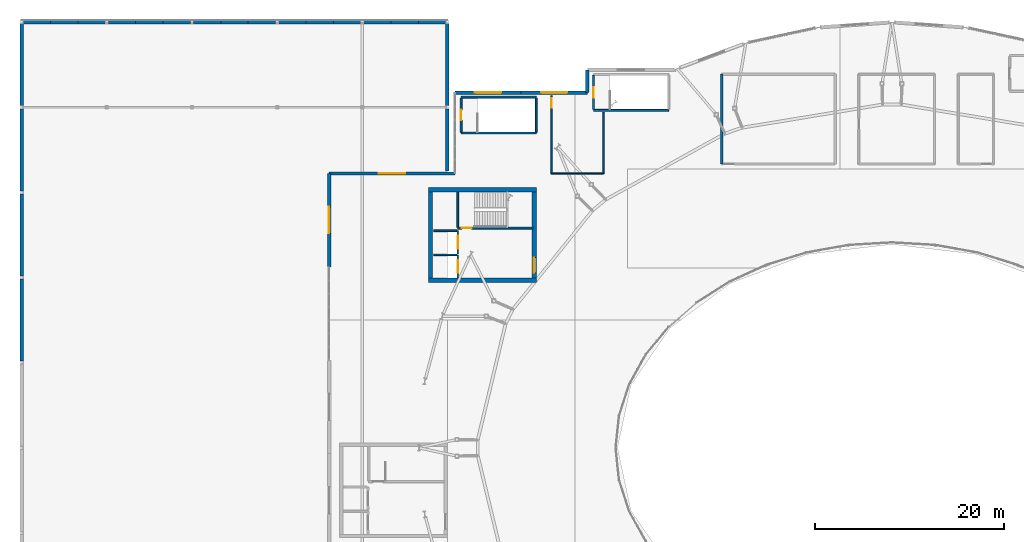
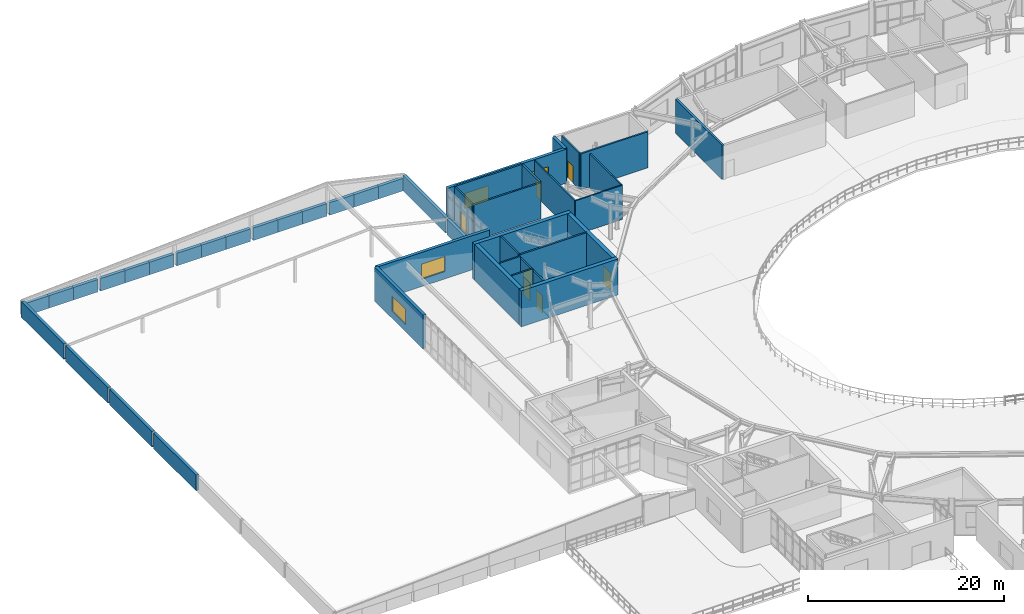
# One storey, part 39 of 48: 46 walls, 7 doors, 4 windows, 11 openings.
"""IFC4 building model written with IfcOpenShell, lengths in metres."""

from ifc_helpers import new_model, si_unit, direction, frame, frame_2d, origin, place, context, subcontext, project, spatial, rectangle, extrude, material, layer, layer_set, type_object, element, fill, save


model = new_model("IFC4")

# Units and contexts
model_context = context("Model", 3, precision=1e-05, world=origin(), true_north=direction((0.0, 1.0)))
body_context = subcontext(model_context, "Body", "Model", "MODEL_VIEW")
ifc_project = project(units=[si_unit("LENGTHUNIT", "METRE"), si_unit("AREAUNIT", "SQUARE_METRE"), si_unit("VOLUMEUNIT", "CUBIC_METRE"), si_unit("PLANEANGLEUNIT", "RADIAN"), si_unit("MASSUNIT", "GRAM", prefix="KILO")], contexts=[model_context])

# Site, building, storey
site_placement = place(None, origin())
site = spatial("IfcSite", under=ifc_project, at=site_placement, CompositionType="ELEMENT")
building_placement = place(site_placement, origin())
building = spatial("IfcBuilding", under=site, at=building_placement, Name="Glasvene Arena", CompositionType="ELEMENT")
storey_placement = place(building_placement, frame((0.0, 0.0, 19.5)))
storey = spatial("IfcBuildingStorey", under=building, at=storey_placement, Name="L04", CompositionType="ELEMENT", Elevation=19.5)

# Walls
ifc_material_1 = material(Name="Concrete C40/50", Category="concrete")
ifc_layer_1 = layer(ifc_material_1, 0.449951171875)
ifc_layer_set_1 = layer_set([ifc_layer_1], Name="Concrete C40/50")
wall_type_1 = type_object("IfcWallType", Name="WL-CORE-450", PredefinedType="SHEAR", material=ifc_layer_set_1)
for number, where, z_axis, x_axis, name in (
    (1, (43.0, 90.72509765625, 0.0), (0.0, 0.0, 1.0), (1.0, 0.0, 0.0), "Core C1 North-West shear wall S L04"),
    (2, (43.0, 100.27490234375, 0.0), (0.0, 0.0, 1.0), (1.0, 0.0, 0.0), "Core C1 North-West shear wall N L04"),
):
    element("IfcWall", number, at=place(storey_placement, frame(where, z_axis=z_axis, x_axis=x_axis)), inside=storey, type_object=wall_type_1, Name=name, PredefinedType="SHEAR", context=body_context, shape_type="SweptSolid", body=[
        extrude(rectangle(XDim=11.39990234375, YDim=0.449951171875, at=frame_2d((5.699951171875, 0.0))), origin(), (0.0, 0.0, 1.0), 4.5),
    ])
wall_1_placement = place(storey_placement, frame((43.22509765625, 90.949951171875, 0.0), z_axis=(0.0, 0.0, 1.0), x_axis=(0.0, 1.0, 0.0)))
element("IfcWall", 3, at=wall_1_placement, inside=storey, type_object=wall_type_1, Name="Core C1 North-West shear wall W L04", PredefinedType="SHEAR", context=body_context, shape_type="SweptSolid", body=[
    extrude(rectangle(XDim=9.10009765625, YDim=0.449951171875, at=frame_2d((4.550048828125, 0.0))), origin(), (0.0, 0.0, 1.0), 4.5),
])

# Wall, opening, door
wall_2_placement = place(storey_placement, frame((54.175048828125, 90.949951171875, 0.0), z_axis=(0.0, 0.0, 1.0), x_axis=(0.0, 1.0, 0.0)))
wall_2 = element("IfcWall", 4, at=wall_2_placement, inside=storey, type_object=wall_type_1, Name="Core C1 North-West shear wall E L04", PredefinedType="SHEAR", context=body_context, shape_type="SweptSolid", body=[
    extrude(rectangle(XDim=9.10009765625, YDim=0.449951171875, at=frame_2d((4.550048828125, 0.0))), origin(), (0.0, 0.0, 1.0), 4.5),
])
opening_1_placement = place(wall_2_placement, frame((0.550048828125, 0.0, 0.0)))
opening_1 = element("IfcOpeningElement", 5, at=opening_1_placement, cuts=wall_2, Name="Opening D-02", PredefinedType="OPENING", context=body_context, shape_type="SweptSolid", body=[
    extrude(rectangle(XDim=1.60009765625, YDim=2.199951171875, at=frame_2d((0.800048828125, 1.10009765625))), frame((0.0, 0.23486328125, 0.0), z_axis=(0.0, -1.0, 0.0), x_axis=(1.0, 0.0, 0.0)), (0.0, 0.0, 1.0), 0.469970703125),
])
ifc_material_2 = material(Name="Painted fire-resisting steel", Category="steel")
door_type_1 = type_object("IfcDoorType", Name="DR-FD60-1600", OperationType="DOUBLE_DOOR_SINGLE_SWING", PredefinedType="DOOR", material=ifc_material_2)
door_1_placement = place(opening_1_placement, frame((1.60009765625, 0.0, 0.0), z_axis=(0.0, 0.0, 1.0), x_axis=(-1.0, 0.0, 0.0)))
door_1 = element("IfcDoor", 6, at=door_1_placement, inside=storey, type_object=door_type_1, Name="Core firefighting lobby concourse door C1-L04", OperationType="DOUBLE_DOOR_SINGLE_SWING", OverallHeight=2.199951171875, OverallWidth=1.60009765625, PredefinedType="DOOR", context=body_context, shape_type="SweptSolid", body=[
    extrude(rectangle(XDim=1.60009765625, YDim=2.199951171875, at=frame_2d((0.800048828125, 1.10009765625))), frame((0.0, 0.02490234375, 0.0), z_axis=(0.0, -1.0, 0.0), x_axis=(1.0, 0.0, 0.0)), (0.0, 0.0, 1.0), 0.050048828125),
])
fill(opening_1, door_1)

# Wall, opening, window
ifc_material_3 = material(Name="Coursed pale Irish limestone", Category="masonry")
ifc_layer_2 = layer(ifc_material_3, 0.360107421875)
ifc_layer_set_2 = layer_set([ifc_layer_2], Name="Coursed pale Irish limestone")
wall_type_2 = type_object("IfcWallType", Name="WL-EXT-LIM-360", PredefinedType="STANDARD", material=ifc_layer_set_2)
wall_3_placement = place(storey_placement, frame((32.5, 92.125, 0.0), z_axis=(0.0, 0.0, 1.0), x_axis=(0.0, 1.0, 0.0)))
wall_3 = element("IfcWall", 7, at=wall_3_placement, inside=storey, type_object=wall_type_2, Name="External facade wall EW-L04-0246", PredefinedType="STANDARD", context=body_context, shape_type="SweptSolid", body=[
    extrude(rectangle(XDim=9.875, YDim=0.360107421875, at=frame_2d((4.9375, 0.0))), origin(), (0.0, 0.0, 1.0), 4.25),
])
opening_2_placement = place(wall_3_placement, frame((3.5380859375, 0.0, 0.89990234375)))
opening_2 = element("IfcOpeningElement", 8, at=opening_2_placement, cuts=wall_3, Name="Opening W-10", PredefinedType="OPENING", context=body_context, shape_type="SweptSolid", body=[
    extrude(rectangle(XDim=2.800048828125, YDim=1.89990234375, at=frame_2d((1.39990234375, 0.949951171875))), frame((0.0, 0.18994140625, 0.0), z_axis=(0.0, -1.0, 0.0), x_axis=(1.0, 0.0, 0.0)), (0.0, 0.0, 1.0), 0.380126953125),
])
ifc_material_4 = material(Name="Low-emissivity laminated double glazing", Category="glass")
window_type = type_object("IfcWindowType", Name="WN-SKY-280x190", PartitioningType="DOUBLE_PANEL_VERTICAL", PredefinedType="WINDOW", material=ifc_material_4)
window_1_placement = place(opening_2_placement, origin())
window_1 = element("IfcWindow", 9, at=window_1_placement, inside=storey, type_object=window_type, Name="Facade window WN-SKY-280x190 L04-0157", OverallHeight=1.89990234375, OverallWidth=2.800048828125, PartitioningType="SINGLE_PANEL", PredefinedType="WINDOW", context=body_context, shape_type="SweptSolid", body=[
    extrude(rectangle(XDim=2.800048828125, YDim=1.89990234375, at=frame_2d((1.39990234375, 0.949951171875))), frame((0.0, 0.030029296875, 0.0), z_axis=(0.0, -1.0, 0.0), x_axis=(1.0, 0.0, 0.0)), (0.0, 0.0, 1.0), 0.06005859375),
])
fill(opening_2, window_1)

wall_4_placement = place(storey_placement, frame((32.5, 102.0, 0.0), z_axis=(0.0, 0.0, 1.0), x_axis=(1.0, 0.0, 0.0)))
wall_4 = element("IfcWall", 10, at=wall_4_placement, inside=storey, type_object=wall_type_2, Name="External facade wall EW-L04-0247", PredefinedType="STANDARD", context=body_context, shape_type="SweptSolid", body=[
    extrude(rectangle(XDim=13.300048828125, YDim=0.360107421875, at=frame_2d((6.64990234375, 0.0))), origin(), (0.0, 0.0, 1.0), 4.25),
])
opening_3_placement = place(wall_4_placement, frame((5.25, 0.0, 0.89990234375)))
opening_3 = element("IfcOpeningElement", 11, at=opening_3_placement, cuts=wall_4, Name="Opening W-10", PredefinedType="OPENING", context=body_context, shape_type="SweptSolid", body=[
    extrude(rectangle(XDim=2.800048828125, YDim=1.89990234375, at=frame_2d((1.39990234375, 0.949951171875))), frame((0.0, 0.18994140625, 0.0), z_axis=(0.0, -1.0, 0.0), x_axis=(1.0, 0.0, 0.0)), (0.0, 0.0, 1.0), 0.380126953125),
])
window_2_placement = place(opening_3_placement, origin())
window_2 = element("IfcWindow", 12, at=window_2_placement, inside=storey, type_object=window_type, Name="Facade window WN-SKY-280x190 L04-0158", OverallHeight=1.89990234375, OverallWidth=2.800048828125, PartitioningType="SINGLE_PANEL", PredefinedType="WINDOW", context=body_context, shape_type="SweptSolid", body=[
    extrude(rectangle(XDim=2.800048828125, YDim=1.89990234375, at=frame_2d((1.39990234375, 0.949951171875))), frame((0.0, 0.030029296875, 0.0), z_axis=(0.0, -1.0, 0.0), x_axis=(1.0, 0.0, 0.0)), (0.0, 0.0, 1.0), 0.06005859375),
])
fill(opening_3, window_2)

wall_5_placement = place(storey_placement, frame((45.800048828125, 110.550048828125, 0.0), z_axis=(0.0, 0.0, 1.0), x_axis=(1.0, 0.0, 0.0)))
wall_5 = element("IfcWall", 13, at=wall_5_placement, inside=storey, type_object=wall_type_2, Name="External facade wall EW-L04-0248", PredefinedType="STANDARD", context=body_context, shape_type="SweptSolid", body=[
    extrude(rectangle(XDim=7.0, YDim=0.360107421875, at=frame_2d((3.5, 0.0))), origin(), (0.0, 0.0, 1.0), 4.25),
])
opening_4_placement = place(wall_5_placement, frame((2.10009765625, 0.0, 0.89990234375)))
opening_4 = element("IfcOpeningElement", 14, at=opening_4_placement, cuts=wall_5, Name="Opening W-10", PredefinedType="OPENING", context=body_context, shape_type="SweptSolid", body=[
    extrude(rectangle(XDim=2.800048828125, YDim=1.89990234375, at=frame_2d((1.39990234375, 0.949951171875))), frame((0.0, 0.18994140625, 0.0), z_axis=(0.0, -1.0, 0.0), x_axis=(1.0, 0.0, 0.0)), (0.0, 0.0, 1.0), 0.380126953125),
])
window_3_placement = place(opening_4_placement, origin())
window_3 = element("IfcWindow", 15, at=window_3_placement, inside=storey, type_object=window_type, Name="Facade window WN-SKY-280x190 L04-0159", OverallHeight=1.89990234375, OverallWidth=2.800048828125, PartitioningType="SINGLE_PANEL", PredefinedType="WINDOW", context=body_context, shape_type="SweptSolid", body=[
    extrude(rectangle(XDim=2.800048828125, YDim=1.89990234375, at=frame_2d((1.39990234375, 0.949951171875))), frame((0.0, 0.030029296875, 0.0), z_axis=(0.0, -1.0, 0.0), x_axis=(1.0, 0.0, 0.0)), (0.0, 0.0, 1.0), 0.06005859375),
])
fill(opening_4, window_3)

wall_6_placement = place(storey_placement, frame((52.800048828125, 110.550048828125, 0.0), z_axis=(0.0, 0.0, 1.0), x_axis=(1.0, 0.0, 0.0)))
wall_6 = element("IfcWall", 16, at=wall_6_placement, inside=storey, type_object=wall_type_2, Name="External facade wall EW-L04-0249", PredefinedType="STANDARD", context=body_context, shape_type="SweptSolid", body=[
    extrude(rectangle(XDim=7.0, YDim=0.360107421875, at=frame_2d((3.5, 0.0))), origin(), (0.0, 0.0, 1.0), 4.25),
])
opening_5_placement = place(wall_6_placement, frame((2.10009765625, 0.0, 0.89990234375)))
opening_5 = element("IfcOpeningElement", 17, at=opening_5_placement, cuts=wall_6, Name="Opening W-10", PredefinedType="OPENING", context=body_context, shape_type="SweptSolid", body=[
    extrude(rectangle(XDim=2.800048828125, YDim=1.89990234375, at=frame_2d((1.39990234375, 0.949951171875))), frame((0.0, 0.18994140625, 0.0), z_axis=(0.0, -1.0, 0.0), x_axis=(1.0, 0.0, 0.0)), (0.0, 0.0, 1.0), 0.380126953125),
])
window_4_placement = place(opening_5_placement, origin())
window_4 = element("IfcWindow", 18, at=window_4_placement, inside=storey, type_object=window_type, Name="Facade window WN-SKY-280x190 L04-0160", OverallHeight=1.89990234375, OverallWidth=2.800048828125, PartitioningType="SINGLE_PANEL", PredefinedType="WINDOW", context=body_context, shape_type="SweptSolid", body=[
    extrude(rectangle(XDim=2.800048828125, YDim=1.89990234375, at=frame_2d((1.39990234375, 0.949951171875))), frame((0.0, 0.030029296875, 0.0), z_axis=(0.0, -1.0, 0.0), x_axis=(1.0, 0.0, 0.0)), (0.0, 0.0, 1.0), 0.06005859375),
])
fill(opening_5, window_4)

# Walls
wall_7_placement = place(storey_placement, frame((59.800048828125, 110.550048828125, 0.0), z_axis=(0.0, 0.0, 1.0), x_axis=(0.0, 1.0, 0.0)))
element("IfcWall", 19, at=wall_7_placement, inside=storey, type_object=wall_type_2, Name="External facade wall EW-L04-0250", PredefinedType="STANDARD", context=body_context, shape_type="SweptSolid", body=[
    extrude(rectangle(XDim=2.39990234375, YDim=0.360107421875, at=frame_2d((1.199951171875, 0.0))), origin(), (0.0, 0.0, 1.0), 4.25),
])
for number, where, z_axis, x_axis, name in (
    (20, (0.0, 82.155029296875, -0.25), (0.0, 0.0, 1.0), (0.0, 1.0, 0.0), "Wing eave spandrel wall EW-WNG-V4-061"),
    (21, (0.0, 91.155029296875, -0.25), (0.0, 0.0, 1.0), (0.0, 1.0, 0.0), "Wing eave spandrel wall EW-WNG-V4-062"),
    (22, (0.0, 100.155029296875, -0.25), (0.0, 0.0, 1.0), (0.0, 1.0, 0.0), "Wing eave spandrel wall EW-WNG-V4-063"),
    (23, (0.0, 109.155029296875, -0.25), (0.0, 0.0, 1.0), (0.0, 1.0, 0.0), "Wing eave spandrel wall EW-WNG-V4-064"),
):
    element("IfcWall", number, at=place(storey_placement, frame(where, z_axis=z_axis, x_axis=x_axis)), inside=storey, type_object=wall_type_2, Name=name, PredefinedType="STANDARD", context=body_context, shape_type="SweptSolid", body=[
        extrude(rectangle(XDim=8.68994140625, YDim=0.360107421875, at=frame_2d((4.344970703125, 0.0))), origin(), (0.0, 0.0, 1.0), 1.93505859375),
    ])
wall_8_placement = place(storey_placement, frame((45.0, 102.280029296875, -0.25), z_axis=(0.0, 0.0, 1.0), x_axis=(0.0, 1.0, 0.0)))
element("IfcWall", 24, at=wall_8_placement, inside=storey, type_object=wall_type_2, Name="Wing eave spandrel wall EW-WNG-V4-065", PredefinedType="STANDARD", context=body_context, shape_type="SweptSolid", body=[
    extrude(rectangle(XDim=6.56494140625, YDim=0.360107421875, at=frame_2d((3.282470703125, 0.0))), origin(), (0.0, 0.0, 1.0), 1.93505859375),
])
wall_9_placement = place(storey_placement, frame((45.0, 109.155029296875, -0.25), z_axis=(0.0, 0.0, 1.0), x_axis=(0.0, 1.0, 0.0)))
element("IfcWall", 25, at=wall_9_placement, inside=storey, type_object=wall_type_2, Name="Wing eave spandrel wall EW-WNG-V4-066", PredefinedType="STANDARD", context=body_context, shape_type="SweptSolid", body=[
    extrude(rectangle(XDim=8.68994140625, YDim=0.360107421875, at=frame_2d((4.344970703125, 0.0))), origin(), (0.0, 0.0, 1.0), 1.93505859375),
])
wall_10_placement = place(storey_placement, frame((0.155029296875, 118.0, -0.25), z_axis=(0.0, 0.0, 1.0), x_axis=(1.0, 0.0, 0.0)))
element("IfcWall", 26, at=wall_10_placement, inside=storey, type_object=wall_type_2, Name="Wing gable infill wall EW-WNG-V4-081", PredefinedType="STANDARD", context=body_context, shape_type="SweptSolid", body=[
    extrude(rectangle(XDim=2.896728515625, YDim=0.360107421875, at=frame_2d((1.4482421875, 0.0))), origin(), (0.0, 0.0, 1.0), 1.56005859375),
])
wall_11_placement = place(storey_placement, frame((3.0517578125, 118.0, -0.25), z_axis=(0.0, 0.0, 1.0), x_axis=(1.0, 0.0, 0.0)))
element("IfcWall", 27, at=wall_11_placement, inside=storey, type_object=wall_type_2, Name="Wing gable infill wall EW-WNG-V4-082", PredefinedType="STANDARD", context=body_context, shape_type="SweptSolid", body=[
    extrude(rectangle(XDim=2.896484375, YDim=0.360107421875, at=frame_2d((1.4482421875, 0.0))), origin(), (0.0, 0.0, 1.0), 1.56005859375),
])
for number, where, z_axis, x_axis, name in (
    (28, (5.9482421875, 118.0, -0.25), (0.0, 0.0, 1.0), (1.0, 0.0, 0.0), "Wing gable infill wall EW-WNG-V4-083"),
    (29, (9.155029296875, 118.0, -0.25), (0.0, 0.0, 1.0), (1.0, 0.0, 0.0), "Wing gable infill wall EW-WNG-V4-084"),
):
    element("IfcWall", number, at=place(storey_placement, frame(where, z_axis=z_axis, x_axis=x_axis)), inside=storey, type_object=wall_type_2, Name=name, PredefinedType="STANDARD", context=body_context, shape_type="SweptSolid", body=[
        extrude(rectangle(XDim=2.896728515625, YDim=0.360107421875, at=frame_2d((1.4482421875, 0.0))), origin(), (0.0, 0.0, 1.0), 1.56005859375),
    ])
wall_12_placement = place(storey_placement, frame((12.0517578125, 118.0, -0.25), z_axis=(0.0, 0.0, 1.0), x_axis=(1.0, 0.0, 0.0)))
element("IfcWall", 30, at=wall_12_placement, inside=storey, type_object=wall_type_2, Name="Wing gable infill wall EW-WNG-V4-085", PredefinedType="STANDARD", context=body_context, shape_type="SweptSolid", body=[
    extrude(rectangle(XDim=2.896484375, YDim=0.360107421875, at=frame_2d((1.4482421875, 0.0))), origin(), (0.0, 0.0, 1.0), 1.56005859375),
])
for number, where, z_axis, x_axis, name in (
    (31, (14.9482421875, 118.0, -0.25), (0.0, 0.0, 1.0), (1.0, 0.0, 0.0), "Wing gable infill wall EW-WNG-V4-086"),
    (32, (18.155029296875, 118.0, -0.25), (0.0, 0.0, 1.0), (1.0, 0.0, 0.0), "Wing gable infill wall EW-WNG-V4-087"),
):
    element("IfcWall", number, at=place(storey_placement, frame(where, z_axis=z_axis, x_axis=x_axis)), inside=storey, type_object=wall_type_2, Name=name, PredefinedType="STANDARD", context=body_context, shape_type="SweptSolid", body=[
        extrude(rectangle(XDim=2.896728515625, YDim=0.360107421875, at=frame_2d((1.4482421875, 0.0))), origin(), (0.0, 0.0, 1.0), 1.56005859375),
    ])
wall_13_placement = place(storey_placement, frame((21.0517578125, 118.0, -0.25), z_axis=(0.0, 0.0, 1.0), x_axis=(1.0, 0.0, 0.0)))
element("IfcWall", 33, at=wall_13_placement, inside=storey, type_object=wall_type_2, Name="Wing gable infill wall EW-WNG-V4-088", PredefinedType="STANDARD", context=body_context, shape_type="SweptSolid", body=[
    extrude(rectangle(XDim=2.896484375, YDim=0.360107421875, at=frame_2d((1.4482421875, 0.0))), origin(), (0.0, 0.0, 1.0), 1.56005859375),
])
for number, where, z_axis, x_axis, name in (
    (34, (23.9482421875, 118.0, -0.25), (0.0, 0.0, 1.0), (1.0, 0.0, 0.0), "Wing gable infill wall EW-WNG-V4-089"),
    (35, (27.155029296875, 118.0, -0.25), (0.0, 0.0, 1.0), (1.0, 0.0, 0.0), "Wing gable infill wall EW-WNG-V4-090"),
):
    element("IfcWall", number, at=place(storey_placement, frame(where, z_axis=z_axis, x_axis=x_axis)), inside=storey, type_object=wall_type_2, Name=name, PredefinedType="STANDARD", context=body_context, shape_type="SweptSolid", body=[
        extrude(rectangle(XDim=2.896728515625, YDim=0.360107421875, at=frame_2d((1.4482421875, 0.0))), origin(), (0.0, 0.0, 1.0), 1.56005859375),
    ])
wall_14_placement = place(storey_placement, frame((30.0517578125, 118.0, -0.25), z_axis=(0.0, 0.0, 1.0), x_axis=(1.0, 0.0, 0.0)))
element("IfcWall", 36, at=wall_14_placement, inside=storey, type_object=wall_type_2, Name="Wing gable infill wall EW-WNG-V4-091", PredefinedType="STANDARD", context=body_context, shape_type="SweptSolid", body=[
    extrude(rectangle(XDim=2.896484375, YDim=0.360107421875, at=frame_2d((1.4482421875, 0.0))), origin(), (0.0, 0.0, 1.0), 1.56005859375),
])
for number, where, z_axis, x_axis, name in (
    (37, (32.9482421875, 118.0, -0.25), (0.0, 0.0, 1.0), (1.0, 0.0, 0.0), "Wing gable infill wall EW-WNG-V4-092"),
    (38, (36.155029296875, 118.0, -0.25), (0.0, 0.0, 1.0), (1.0, 0.0, 0.0), "Wing gable infill wall EW-WNG-V4-093"),
):
    element("IfcWall", number, at=place(storey_placement, frame(where, z_axis=z_axis, x_axis=x_axis)), inside=storey, type_object=wall_type_2, Name=name, PredefinedType="STANDARD", context=body_context, shape_type="SweptSolid", body=[
        extrude(rectangle(XDim=2.896728515625, YDim=0.360107421875, at=frame_2d((1.4482421875, 0.0))), origin(), (0.0, 0.0, 1.0), 1.56005859375),
    ])
wall_15_placement = place(storey_placement, frame((39.0517578125, 118.0, -0.25), z_axis=(0.0, 0.0, 1.0), x_axis=(1.0, 0.0, 0.0)))
element("IfcWall", 39, at=wall_15_placement, inside=storey, type_object=wall_type_2, Name="Wing gable infill wall EW-WNG-V4-094", PredefinedType="STANDARD", context=body_context, shape_type="SweptSolid", body=[
    extrude(rectangle(XDim=2.896484375, YDim=0.360107421875, at=frame_2d((1.4482421875, 0.0))), origin(), (0.0, 0.0, 1.0), 1.56005859375),
])
wall_16_placement = place(storey_placement, frame((41.9482421875, 118.0, -0.25), z_axis=(0.0, 0.0, 1.0), x_axis=(1.0, 0.0, 0.0)))
element("IfcWall", 40, at=wall_16_placement, inside=storey, type_object=wall_type_2, Name="Wing gable infill wall EW-WNG-V4-095", PredefinedType="STANDARD", context=body_context, shape_type="SweptSolid", body=[
    extrude(rectangle(XDim=2.896728515625, YDim=0.360107421875, at=frame_2d((1.4482421875, 0.0))), origin(), (0.0, 0.0, 1.0), 1.56005859375),
])
ifc_layer_3 = layer(ifc_material_1, 0.25)
ifc_layer_set_3 = layer_set([ifc_layer_3], Name="Concrete C40/50")
wall_type_3 = type_object("IfcWallType", Name="WL-FIRE-250", PredefinedType="STANDARD", material=ifc_layer_set_3)
wall_17_placement = place(storey_placement, frame((74.0, 103.0, 0.0), z_axis=(0.0, 0.0, 1.0), x_axis=(0.0, 1.0, 0.0)))
element("IfcWall", 41, at=wall_17_placement, inside=storey, type_object=wall_type_3, Name="Interior partition wall IW-L04-0318 (Venue Acoustic Control Room)", PredefinedType="STANDARD", context=body_context, shape_type="SweptSolid", body=[
    extrude(rectangle(XDim=9.5, YDim=0.25, at=frame_2d((4.75, 0.0))), origin(), (0.0, 0.0, 1.0), 4.25),
])
ifc_material_5 = material(Name="Insulated acoustic metal-stud partition")
ifc_layer_4 = layer(ifc_material_5, 0.14990234375)
ifc_layer_set_4 = layer_set([ifc_layer_4], Name="Insulated acoustic metal-stud partition")
wall_type_4 = type_object("IfcWallType", Name="WL-PART-150", PredefinedType="PARTITIONING", material=ifc_layer_set_4)
wall_18_placement = place(storey_placement, frame((61.5, 108.449951171875, 0.0), z_axis=(0.0, 0.0, 1.0), x_axis=(0.0, -1.0, 0.0)))
element("IfcWall", 42, at=wall_18_placement, inside=storey, type_object=wall_type_4, Name="Interior partition wall IW-L04-0319 (Sky Hospitality Pantry)", PredefinedType="PARTITIONING", context=body_context, shape_type="SweptSolid", body=[
    extrude(rectangle(XDim=6.449951171875, YDim=0.14990234375, at=frame_2d((3.22509765625, 0.0))), origin(), (0.0, 0.0, 1.0), 4.25),
])
wall_19_placement = place(storey_placement, frame((61.5, 102.0, 0.0), z_axis=(0.0, 0.0, 1.0), x_axis=(-1.0, 0.0, 0.0)))
element("IfcWall", 43, at=wall_19_placement, inside=storey, type_object=wall_type_4, Name="Interior partition wall IW-L04-0320 (Sky Hospitality Pantry)", PredefinedType="PARTITIONING", context=body_context, shape_type="SweptSolid", body=[
    extrude(rectangle(XDim=5.5, YDim=0.14990234375, at=frame_2d((2.75, 0.0))), origin(), (0.0, 0.0, 1.0), 4.25),
])

# Wall, opening, door
wall_20_placement = place(storey_placement, frame((56.0, 102.0, 0.0), z_axis=(0.0, 0.0, 1.0), x_axis=(0.0, 1.0, 0.0)))
wall_20 = element("IfcWall", 44, at=wall_20_placement, inside=storey, type_object=wall_type_4, Name="Interior partition wall IW-L04-0321 (Sky Hospitality Pantry)", PredefinedType="PARTITIONING", context=body_context, shape_type="SweptSolid", body=[
    extrude(rectangle(XDim=8.22998046875, YDim=0.14990234375, at=frame_2d((4.114990234375, 0.0))), origin(), (0.0, 0.0, 1.0), 4.25),
])
opening_6_placement = place(wall_20_placement, frame((6.929931640625, 0.0, 0.0)))
opening_6 = element("IfcOpeningElement", 45, at=opening_6_placement, cuts=wall_20, Name="Opening D-05", PredefinedType="OPENING", context=body_context, shape_type="SweptSolid", body=[
    extrude(rectangle(XDim=1.050048828125, YDim=2.14990234375, at=frame_2d((0.52490234375, 1.074951171875))), frame((0.0, 0.0849609375, 0.0), z_axis=(0.0, -1.0, 0.0), x_axis=(1.0, 0.0, 0.0)), (0.0, 0.0, 1.0), 0.169921875),
])
door_type_2 = type_object("IfcDoorType", Name="DR-FD60-1050", OperationType="NOTDEFINED", PredefinedType="DOOR", material=ifc_material_2)
door_2_placement = place(opening_6_placement, origin())
door_2 = element("IfcDoor", 46, at=door_2_placement, inside=storey, type_object=door_type_2, Name="Interior door DR-FD60-1050 (Sky Hospitality Pantry)", OperationType="SINGLE_SWING_RIGHT", OverallHeight=2.14990234375, OverallWidth=1.050048828125, PredefinedType="DOOR", context=body_context, shape_type="SweptSolid", body=[
    extrude(rectangle(XDim=1.050048828125, YDim=2.14990234375, at=frame_2d((0.52490234375, 1.074951171875))), frame((0.0, 0.02490234375, 0.0), z_axis=(0.0, -1.0, 0.0), x_axis=(1.0, 0.0, 0.0)), (0.0, 0.0, 1.0), 0.050048828125),
])
fill(opening_6, door_2)

ifc_layer_5 = layer(ifc_material_1, 0.199951171875)
ifc_layer_set_5 = layer_set([ifc_layer_5], Name="Concrete C40/50")
wall_type_5 = type_object("IfcWallType", Name="WL-SHAFT-200", PredefinedType="SHEAR", material=ifc_layer_set_5)
wall_21_placement = place(storey_placement, frame((46.10009765625, 90.949951171875, 0.0), z_axis=(0.0, 0.0, 1.0), x_axis=(0.0, 1.0, 0.0)))
wall_21 = element("IfcWall", 47, at=wall_21_placement, inside=storey, type_object=wall_type_5, Name="Lift shaft front wall FFL-01 L04", PredefinedType="SHEAR", context=body_context, shape_type="SweptSolid", body=[
    extrude(rectangle(XDim=2.449951171875, YDim=0.199951171875, at=frame_2d((1.22509765625, 0.0))), origin(), (0.0, 0.0, 1.0), 4.25),
])
opening_7_placement = place(wall_21_placement, frame((0.574951171875, 0.0, 0.0)))
opening_7 = element("IfcOpeningElement", 48, at=opening_7_placement, cuts=wall_21, Name="Opening LD-FF", PredefinedType="OPENING", context=body_context, shape_type="SweptSolid", body=[
    extrude(rectangle(XDim=1.300048828125, YDim=2.199951171875, at=frame_2d((0.64990234375, 1.10009765625))), frame((0.0, 0.10986328125, 0.0), z_axis=(0.0, -1.0, 0.0), x_axis=(1.0, 0.0, 0.0)), (0.0, 0.0, 1.0), 0.219970703125),
])
ifc_material_6 = material(Name="Brushed stainless steel", Category="steel")
door_type_3 = type_object("IfcDoorType", Name="LD-FFL-1300", OperationType="DOUBLE_DOOR_SLIDING", PredefinedType="DOOR", material=ifc_material_6)
door_3_placement = place(opening_7_placement, origin())
door_3 = element("IfcDoor", 49, at=door_3_placement, inside=storey, type_object=door_type_3, Name="Lift sliding landing door LD-FFL-01-L04", OperationType="DOUBLE_DOOR_SLIDING", OverallHeight=2.199951171875, OverallWidth=1.300048828125, PredefinedType="DOOR", context=body_context, shape_type="SweptSolid", body=[
    extrude(rectangle(XDim=1.300048828125, YDim=2.199951171875, at=frame_2d((0.64990234375, 1.10009765625))), frame((0.0, 0.02490234375, 0.0), z_axis=(0.0, -1.0, 0.0), x_axis=(1.0, 0.0, 0.0)), (0.0, 0.0, 1.0), 0.050048828125),
])
fill(opening_7, door_3)

wall_22_placement = place(storey_placement, frame((46.10009765625, 93.5, 0.0), z_axis=(0.0, 0.0, 1.0), x_axis=(0.0, 1.0, 0.0)))
wall_22 = element("IfcWall", 50, at=wall_22_placement, inside=storey, type_object=wall_type_5, Name="Lift shaft front wall PL-01 L04", PredefinedType="SHEAR", context=body_context, shape_type="SweptSolid", body=[
    extrude(rectangle(XDim=2.449951171875, YDim=0.199951171875, at=frame_2d((1.22509765625, 0.0))), origin(), (0.0, 0.0, 1.0), 4.25),
])
opening_8_placement = place(wall_22_placement, frame((0.52490234375, 0.0, 0.0)))
opening_8 = element("IfcOpeningElement", 51, at=opening_8_placement, cuts=wall_22, Name="Opening LD-PL", PredefinedType="OPENING", context=body_context, shape_type="SweptSolid", body=[
    extrude(rectangle(XDim=1.39990234375, YDim=2.199951171875, at=frame_2d((0.699951171875, 1.10009765625))), frame((0.0, 0.10986328125, 0.0), z_axis=(0.0, -1.0, 0.0), x_axis=(1.0, 0.0, 0.0)), (0.0, 0.0, 1.0), 0.219970703125),
])
door_type_4 = type_object("IfcDoorType", Name="LD-PL-1400", OperationType="DOUBLE_DOOR_SLIDING", PredefinedType="DOOR", material=ifc_material_6)
door_4_placement = place(opening_8_placement, origin())
door_4 = element("IfcDoor", 52, at=door_4_placement, inside=storey, type_object=door_type_4, Name="Lift sliding landing door LD-PL-01-L04", OperationType="DOUBLE_DOOR_SLIDING", OverallHeight=2.199951171875, OverallWidth=1.39990234375, PredefinedType="DOOR", context=body_context, shape_type="SweptSolid", body=[
    extrude(rectangle(XDim=1.39990234375, YDim=2.199951171875, at=frame_2d((0.699951171875, 1.10009765625))), frame((0.0, 0.02490234375, 0.0), z_axis=(0.0, -1.0, 0.0), x_axis=(1.0, 0.0, 0.0)), (0.0, 0.0, 1.0), 0.050048828125),
])
fill(opening_8, door_4)

wall_23_placement = place(storey_placement, frame((46.10009765625, 96.22998046875, 0.0), z_axis=(0.0, 0.0, 1.0), x_axis=(1.0, 0.0, 0.0)))
wall_23 = element("IfcWall", 53, at=wall_23_placement, inside=storey, type_object=wall_type_5, Name="Escape stair shaft wall ST-01 L04 S", PredefinedType="SHEAR", context=body_context, shape_type="SweptSolid", body=[
    extrude(rectangle(XDim=7.949951171875, YDim=0.199951171875, at=frame_2d((3.97509765625, 0.0))), origin(), (0.0, 0.0, 1.0), 4.5),
])
opening_9_placement = place(wall_23_placement, frame((0.39990234375, 0.0, 0.0)))
opening_9 = element("IfcOpeningElement", 54, at=opening_9_placement, cuts=wall_23, Name="Opening D-04", PredefinedType="OPENING", context=body_context, shape_type="SweptSolid", body=[
    extrude(rectangle(XDim=1.10009765625, YDim=2.14990234375, at=frame_2d((0.550048828125, 1.074951171875))), frame((0.0, 0.10986328125, 0.0), z_axis=(0.0, -1.0, 0.0), x_axis=(1.0, 0.0, 0.0)), (0.0, 0.0, 1.0), 0.219970703125),
])
door_type_5 = type_object("IfcDoorType", Name="DR-FD60-1100", OperationType="NOTDEFINED", PredefinedType="DOOR", material=ifc_material_2)
door_5_placement = place(opening_9_placement, frame((1.10009765625, 0.0, 0.0), z_axis=(0.0, 0.0, 1.0), x_axis=(-1.0, 0.0, 0.0)))
door_5 = element("IfcDoor", 55, at=door_5_placement, inside=storey, type_object=door_type_5, Name="Protected escape stair door ST-01 L04", OperationType="SINGLE_SWING_LEFT", OverallHeight=2.14990234375, OverallWidth=1.10009765625, PredefinedType="DOOR", context=body_context, shape_type="SweptSolid", body=[
    extrude(rectangle(XDim=1.10009765625, YDim=2.14990234375, at=frame_2d((0.550048828125, 1.074951171875))), frame((0.0, 0.02490234375, 0.0), z_axis=(0.0, -1.0, 0.0), x_axis=(1.0, 0.0, 0.0)), (0.0, 0.0, 1.0), 0.050048828125),
])
fill(opening_9, door_5)

# Walls
wall_24_placement = place(storey_placement, frame((46.10009765625, 96.33203125, 0.0), z_axis=(0.0, 0.0, 1.0), x_axis=(0.0, 1.0, 0.0)))
element("IfcWall", 56, at=wall_24_placement, inside=storey, type_object=wall_type_5, Name="Escape stair shaft wall ST-01 L04 W", PredefinedType="SHEAR", context=body_context, shape_type="SweptSolid", body=[
    extrude(rectangle(XDim=3.68603515625, YDim=0.199951171875, at=frame_2d((1.843017578125, 0.0))), origin(), (0.0, 0.0, 1.0), 4.5),
])
wall_25_placement = place(storey_placement, frame((60.449951171875, 108.679931640625, 0.0), z_axis=(0.0, 0.0, 1.0), x_axis=(1.0, 0.0, 0.0)))
element("IfcWall", 57, at=wall_25_placement, inside=storey, type_object=wall_type_5, Name="Escape stair shaft wall ST-10 L04 S", PredefinedType="SHEAR", context=body_context, shape_type="SweptSolid", body=[
    extrude(rectangle(XDim=7.949951171875, YDim=0.199951171875, at=frame_2d((3.97509765625, 0.0))), origin(), (0.0, 0.0, 1.0), 4.5),
])

# Wall, opening, door
wall_26_placement = place(storey_placement, frame((60.449951171875, 108.781982421875, 0.0), z_axis=(0.0, 0.0, 1.0), x_axis=(0.0, 1.0, 0.0)))
wall_26 = element("IfcWall", 58, at=wall_26_placement, inside=storey, type_object=wall_type_5, Name="Escape stair shaft wall ST-10 L04 W", PredefinedType="SHEAR", context=body_context, shape_type="SweptSolid", body=[
    extrude(rectangle(XDim=3.5859375, YDim=0.199951171875, at=frame_2d((1.79296875, 0.0))), origin(), (0.0, 0.0, 1.0), 4.5),
])
opening_10_placement = place(wall_26_placement, frame((1.242919921875, 0.0, 0.0)))
opening_10 = element("IfcOpeningElement", 59, at=opening_10_placement, cuts=wall_26, Name="Opening D-04", PredefinedType="OPENING", context=body_context, shape_type="SweptSolid", body=[
    extrude(rectangle(XDim=1.10009765625, YDim=2.14990234375, at=frame_2d((0.550048828125, 1.074951171875))), frame((0.0, 0.10986328125, 0.0), z_axis=(0.0, -1.0, 0.0), x_axis=(1.0, 0.0, 0.0)), (0.0, 0.0, 1.0), 0.219970703125),
])
door_6_placement = place(opening_10_placement, frame((1.10009765625, 0.0, 0.0), z_axis=(0.0, 0.0, 1.0), x_axis=(-1.0, 0.0, 0.0)))
door_6 = element("IfcDoor", 60, at=door_6_placement, inside=storey, type_object=door_type_5, Name="Protected escape stair door ST-10 L04", OperationType="SINGLE_SWING_LEFT", OverallHeight=2.14990234375, OverallWidth=1.10009765625, PredefinedType="DOOR", context=body_context, shape_type="SweptSolid", body=[
    extrude(rectangle(XDim=1.10009765625, YDim=2.14990234375, at=frame_2d((0.550048828125, 1.074951171875))), frame((0.0, 0.02490234375, 0.0), z_axis=(0.0, -1.0, 0.0), x_axis=(1.0, 0.0, 0.0)), (0.0, 0.0, 1.0), 0.050048828125),
])
fill(opening_10, door_6)

# Wall
wall_27_placement = place(storey_placement, frame((46.449951171875, 106.280029296875, 0.0), z_axis=(0.0, 0.0, 1.0), x_axis=(1.0, 0.0, 0.0)))
element("IfcWall", 61, at=wall_27_placement, inside=storey, type_object=wall_type_5, Name="Escape stair shaft wall ST-12 L04 S", PredefinedType="SHEAR", context=body_context, shape_type="SweptSolid", body=[
    extrude(rectangle(XDim=7.949951171875, YDim=0.199951171875, at=frame_2d((3.97509765625, 0.0))), origin(), (0.0, 0.0, 1.0), 4.5),
])

# Wall, opening, door
wall_28_placement = place(storey_placement, frame((46.449951171875, 106.382080078125, 0.0), z_axis=(0.0, 0.0, 1.0), x_axis=(0.0, 1.0, 0.0)))
wall_28 = element("IfcWall", 62, at=wall_28_placement, inside=storey, type_object=wall_type_5, Name="Escape stair shaft wall ST-12 L04 W", PredefinedType="SHEAR", context=body_context, shape_type="SweptSolid", body=[
    extrude(rectangle(XDim=3.5859375, YDim=0.199951171875, at=frame_2d((1.79296875, 0.0))), origin(), (0.0, 0.0, 1.0), 4.5),
])
opening_11_placement = place(wall_28_placement, frame((1.242919921875, 0.0, 0.0)))
opening_11 = element("IfcOpeningElement", 63, at=opening_11_placement, cuts=wall_28, Name="Opening D-04", PredefinedType="OPENING", context=body_context, shape_type="SweptSolid", body=[
    extrude(rectangle(XDim=1.10009765625, YDim=2.14990234375, at=frame_2d((0.550048828125, 1.074951171875))), frame((0.0, 0.10986328125, 0.0), z_axis=(0.0, -1.0, 0.0), x_axis=(1.0, 0.0, 0.0)), (0.0, 0.0, 1.0), 0.219970703125),
])
door_7_placement = place(opening_11_placement, frame((1.10009765625, 0.0, 0.0), z_axis=(0.0, 0.0, 1.0), x_axis=(-1.0, 0.0, 0.0)))
door_7 = element("IfcDoor", 64, at=door_7_placement, inside=storey, type_object=door_type_5, Name="Protected escape stair door ST-12 L04", OperationType="SINGLE_SWING_LEFT", OverallHeight=2.14990234375, OverallWidth=1.10009765625, PredefinedType="DOOR", context=body_context, shape_type="SweptSolid", body=[
    extrude(rectangle(XDim=1.10009765625, YDim=2.14990234375, at=frame_2d((0.550048828125, 1.074951171875))), frame((0.0, 0.02490234375, 0.0), z_axis=(0.0, -1.0, 0.0), x_axis=(1.0, 0.0, 0.0)), (0.0, 0.0, 1.0), 0.050048828125),
])
fill(opening_11, door_7)

# Walls
wall_29_placement = place(storey_placement, frame((54.39990234375, 106.382080078125, 0.0), z_axis=(0.0, 0.0, 1.0), x_axis=(0.0, 1.0, 0.0)))
element("IfcWall", 65, at=wall_29_placement, inside=storey, type_object=wall_type_5, Name="Escape stair shaft wall ST-12 L04 E", PredefinedType="SHEAR", context=body_context, shape_type="SweptSolid", body=[
    extrude(rectangle(XDim=3.5859375, YDim=0.199951171875, at=frame_2d((1.79296875, 0.0))), origin(), (0.0, 0.0, 1.0), 4.5),
])
wall_30_placement = place(storey_placement, frame((46.449951171875, 110.070068359375, 0.0), z_axis=(0.0, 0.0, 1.0), x_axis=(1.0, 0.0, 0.0)))
element("IfcWall", 66, at=wall_30_placement, inside=storey, type_object=wall_type_5, Name="Escape stair shaft wall ST-12 L04 N", PredefinedType="SHEAR", context=body_context, shape_type="SweptSolid", body=[
    extrude(rectangle(XDim=7.949951171875, YDim=0.199951171875, at=frame_2d((3.97509765625, 0.0))), origin(), (0.0, 0.0, 1.0), 4.5),
])
ifc_material_7 = material(Name="Moisture-resistant masonry blockwork", Category="masonry")
ifc_layer_6 = layer(ifc_material_7, 0.179931640625)
ifc_layer_set_6 = layer_set([ifc_layer_6], Name="Moisture-resistant masonry blockwork")
wall_type_6 = type_object("IfcWallType", Name="WL-WET-180", PredefinedType="PARTITIONING", material=ifc_layer_set_6)
for number, where, z_axis, x_axis, name in (
    (67, (43.550048828125, 93.39990234375, 0.0), (0.0, 0.0, 1.0), (1.0, 0.0, 0.0), "Lift shaft divider wall C1 L04"),
    (68, (43.550048828125, 95.949951171875, 0.0), (0.0, 0.0, 1.0), (1.0, 0.0, 0.0), "Lift shaft north enclosure wall C1 L04"),
):
    element("IfcWall", number, at=place(storey_placement, frame(where, z_axis=z_axis, x_axis=x_axis)), inside=storey, type_object=wall_type_6, Name=name, PredefinedType="PARTITIONING", context=body_context, shape_type="SweptSolid", body=[
        extrude(rectangle(XDim=2.449951171875, YDim=0.179931640625, at=frame_2d((1.22509765625, 0.0))), origin(), (0.0, 0.0, 1.0), 4.5),
    ])

save(model, "model.ifc")
